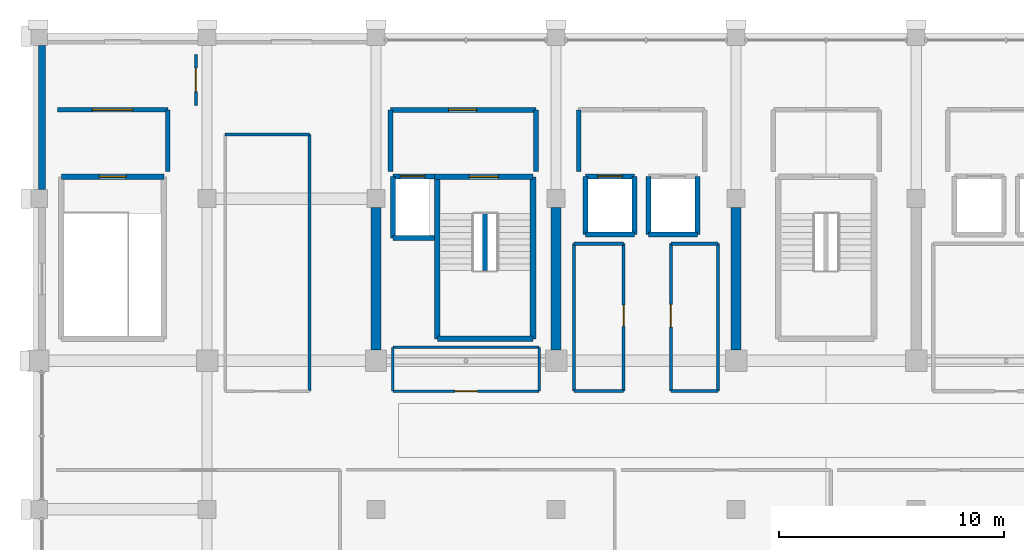
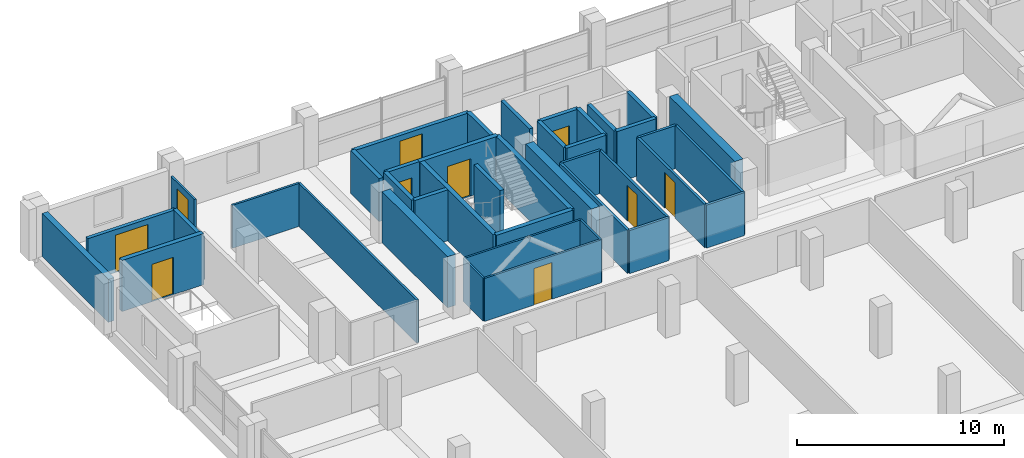
# One storey, part 17 of 21: 41 walls, 10 doors, 10 openings.
"""IFC4 building model written with IfcOpenShell, lengths in metres."""

from ifc_helpers import new_model, si_unit, direction, frame, frame_2d, origin, place, context, subcontext, project, spatial, rectangle, extrude, material, layer, layer_set, type_object, element, fill, save


model = new_model("IFC4")

# Units and contexts
model_context = context("Model", 3, precision=1e-05, world=origin(), true_north=direction((0.0, 1.0)))
body_context = subcontext(model_context, "Body", "Model", "MODEL_VIEW")
ifc_project = project(units=[si_unit("LENGTHUNIT", "METRE"), si_unit("AREAUNIT", "SQUARE_METRE"), si_unit("VOLUMEUNIT", "CUBIC_METRE"), si_unit("PLANEANGLEUNIT", "RADIAN"), si_unit("MASSUNIT", "GRAM", prefix="KILO")], contexts=[model_context])

# Site, building, storey
site_placement = place(None, origin())
site = spatial("IfcSite", under=ifc_project, at=site_placement, CompositionType="ELEMENT")
building_placement = place(site_placement, origin())
building = spatial("IfcBuilding", under=site, at=building_placement, Name="Akrevak Sports Hall", CompositionType="ELEMENT")
storey_placement = place(building_placement, frame((0.0, 0.0, 37.300048828125)))
storey = spatial("IfcBuildingStorey", under=building, at=storey_placement, Name="L08", CompositionType="ELEMENT", Elevation=37.300048828125)

# Wall
ifc_material_1 = material(Name="Limestone Ashlar", Category="stone")
ifc_layer_1 = layer(ifc_material_1, 0.070068359375, Name="Limestone Ashlar")
ifc_material_2 = material(Name="Mineral Wool Thermal Insulation", Category="insulation")
ifc_layer_2 = layer(ifc_material_2, 0.090087890625, Name="Mineral Wool Thermal Insulation")
ifc_material_3 = material(Name="Concrete C40/50", Category="concrete")
ifc_layer_3 = layer(ifc_material_3, 0.159912109375, Name="Concrete C40/50")
ifc_layer_set_1 = layer_set([ifc_layer_1, ifc_layer_2, ifc_layer_3], Name="Limestone Ashlar / Mineral Wool Thermal Insulation / Concrete C40/50")
wall_type_1 = type_object("IfcWallType", Name="ARC-WL-EXT-320", PredefinedType="SOLIDWALL", material=ifc_layer_set_1)
wall_1_placement = place(storey_placement, frame((45.159912109375, 69.199951171875, 0.0), z_axis=(0.0, 0.0, 1.0), x_axis=(0.0, -1.0, 0.0)))
element("IfcWall", 1, at=wall_1_placement, inside=storey, type_object=wall_type_1, Name="Tower Stone Facade Wall L08-W28", PredefinedType="SOLIDWALL", context=body_context, shape_type="SweptSolid", body=[
    extrude(rectangle(XDim=6.39990234375, YDim=0.320068359375, at=frame_2d((3.199951171875, 0.0))), origin(), (0.0, 0.0, 1.0), 2.530029296875),
])

# Wall, opening, door
ifc_material_4 = material(Name="Lightweight Office Partition", Category="gypsum")
ifc_layer_4 = layer(ifc_material_4, 0.110107421875, Name="Lightweight Office Partition")
ifc_layer_set_2 = layer_set([ifc_layer_4], Name="Lightweight Office Partition")
wall_type_2 = type_object("IfcWallType", Name="ARC-WL-PRT-110", PredefinedType="PARTITIONING", material=ifc_layer_set_2)
wall_2_placement = place(storey_placement, frame((60.75, 53.85009765625, 0.0), z_axis=(0.0, 0.0, 1.0), x_axis=(1.0, 0.0, 0.0)))
wall_2 = element("IfcWall", 2, at=wall_2_placement, inside=storey, type_object=wall_type_2, Name="Interior Partition Federation Technical Office L08-CW (S)", PredefinedType="PARTITIONING", context=body_context, shape_type="SweptSolid", body=[
    extrude(rectangle(XDim=6.5, YDim=0.110107421875, at=frame_2d((3.25, 0.0))), origin(), (0.0, 0.0, 1.0), 2.530029296875),
])
opening_1_placement = place(wall_2_placement, frame((2.75, 0.0, 0.0)))
opening_1 = element("IfcOpeningElement", 3, at=opening_1_placement, cuts=wall_2, Name="Opening ID-06", PredefinedType="OPENING", context=body_context, shape_type="SweptSolid", body=[
    extrude(rectangle(XDim=1.0, YDim=2.14990234375, at=frame_2d((0.5, 1.074951171875))), frame((0.0, 0.06689453125, 0.0), z_axis=(0.0, -1.0, 0.0), x_axis=(1.0, 0.0, 0.0)), (0.0, 0.0, 1.0), 0.134033203125),
])
ifc_material_5 = material(Name="Hardwood Oak Acoustic Leaf", Category="wood")
door_type_1 = type_object("IfcDoorType", Name="ARC-DR-OFF-100x215", OperationType="NOTDEFINED", PredefinedType="DOOR", material=ifc_material_5)
door_1_placement = place(opening_1_placement, origin())
door_1 = element("IfcDoor", 4, at=door_1_placement, inside=storey, type_object=door_type_1, Name="Door to Federation Technical Office L08-CW", OperationType="SINGLE_SWING_LEFT", OverallHeight=2.14990234375, OverallWidth=1.0, PredefinedType="DOOR", context=body_context, shape_type="SweptSolid", body=[
    extrude(rectangle(XDim=1.0, YDim=2.14990234375, at=frame_2d((0.5, 1.074951171875))), frame((0.0, 0.02490234375, 0.0), z_axis=(0.0, -1.0, 0.0), x_axis=(1.0, 0.0, 0.0)), (0.0, 0.0, 1.0), 0.050048828125),
])
fill(opening_1, door_1)

# Walls
wall_3_placement = place(storey_placement, frame((60.75, 55.800048828125, 0.0), z_axis=(0.0, 0.0, 1.0), x_axis=(1.0, 0.0, 0.0)))
element("IfcWall", 5, at=wall_3_placement, inside=storey, type_object=wall_type_2, Name="Interior Partition Federation Technical Office L08-CW (N)", PredefinedType="PARTITIONING", context=body_context, shape_type="SweptSolid", body=[
    extrude(rectangle(XDim=6.5, YDim=0.110107421875, at=frame_2d((3.25, 0.0))), origin(), (0.0, 0.0, 1.0), 2.530029296875),
])
for number, where, z_axis, x_axis, name in (
    (6, (60.75, 53.85009765625, 0.0), (0.0, 0.0, 1.0), (0.0, 1.0, 0.0), "Interior Partition Federation Technical Office L08-CW (W)"),
    (7, (67.25, 53.85009765625, 0.0), (0.0, 0.0, 1.0), (0.0, 1.0, 0.0), "Interior Partition Federation Technical Office L08-CW (E)"),
):
    element("IfcWall", number, at=place(storey_placement, frame(where, z_axis=z_axis, x_axis=x_axis)), inside=storey, type_object=wall_type_2, Name=name, PredefinedType="PARTITIONING", context=body_context, shape_type="SweptSolid", body=[
        extrude(rectangle(XDim=1.949951171875, YDim=0.110107421875, at=frame_2d((0.97509765625, 0.0))), origin(), (0.0, 0.0, 1.0), 2.530029296875),
    ])
ifc_material_6 = material(Name="Standard Metal Stud Partition", Category="gypsum")
ifc_layer_5 = layer(ifc_material_6, 0.1201171875, Name="Standard Metal Stud Partition")
ifc_layer_set_3 = layer_set([ifc_layer_5], Name="Standard Metal Stud Partition")
wall_type_3 = type_object("IfcWallType", Name="ARC-WL-PRT-120", PredefinedType="PARTITIONING", material=ifc_layer_set_3)
wall_4_placement = place(storey_placement, frame((53.300048828125, 65.25, 0.0), z_axis=(0.0, 0.0, 1.0), x_axis=(1.0, 0.0, 0.0)))
element("IfcWall", 8, at=wall_4_placement, inside=storey, type_object=wall_type_3, Name="Interior Partition Federation Research Office L08-W1 (N)", PredefinedType="PARTITIONING", context=body_context, shape_type="SweptSolid", body=[
    extrude(rectangle(XDim=3.75, YDim=0.1201171875, at=frame_2d((1.875, 0.0))), origin(), (0.0, 0.0, 1.0), 2.530029296875),
])
wall_5_placement = place(storey_placement, frame((57.050048828125, 53.85009765625, 0.0), z_axis=(0.0, 0.0, 1.0), x_axis=(0.0, 1.0, 0.0)))
element("IfcWall", 9, at=wall_5_placement, inside=storey, type_object=wall_type_3, Name="Interior Partition Federation Research Office L08-W1 (E)", PredefinedType="PARTITIONING", context=body_context, shape_type="SweptSolid", body=[
    extrude(rectangle(XDim=11.39990234375, YDim=0.1201171875, at=frame_2d((5.699951171875, 0.0))), origin(), (0.0, 0.0, 1.0), 2.530029296875),
])

# Wall, opening, door
wall_6_placement = place(storey_placement, frame((52.0, 66.550048828125, 0.0), z_axis=(0.0, 0.0, 1.0), x_axis=(0.0, 1.0, 0.0)))
wall_6 = element("IfcWall", 10, at=wall_6_placement, inside=storey, type_object=wall_type_3, Name="Interior Partition Federation Records Office L08-NW (E)", PredefinedType="PARTITIONING", context=body_context, shape_type="SweptSolid", body=[
    extrude(rectangle(XDim=2.25, YDim=0.1201171875, at=frame_2d((1.125, 0.0))), origin(), (0.0, 0.0, 1.0), 2.530029296875),
])
opening_2_placement = place(wall_6_placement, frame((0.60498046875, 0.0, 0.0)))
opening_2 = element("IfcOpeningElement", 11, at=opening_2_placement, cuts=wall_6, Name="Opening ID-05", PredefinedType="OPENING", context=body_context, shape_type="SweptSolid", body=[
    extrude(rectangle(XDim=1.050048828125, YDim=2.14990234375, at=frame_2d((0.52490234375, 1.074951171875))), frame((0.0, 0.072021484375, 0.0), z_axis=(0.0, -1.0, 0.0), x_axis=(1.0, 0.0, 0.0)), (0.0, 0.0, 1.0), 0.14404296875),
])
door_type_2 = type_object("IfcDoorType", Name="ARC-DR-OFF-105x215", OperationType="NOTDEFINED", PredefinedType="DOOR", material=ifc_material_5)
door_2_placement = place(opening_2_placement, frame((1.050048828125, 0.0, 0.0), z_axis=(0.0, 0.0, 1.0), x_axis=(-1.0, 0.0, 0.0)))
door_2 = element("IfcDoor", 12, at=door_2_placement, inside=storey, type_object=door_type_2, Name="Door to Federation Records Office L08-NW", OperationType="SINGLE_SWING_RIGHT", OverallHeight=2.14990234375, OverallWidth=1.050048828125, PredefinedType="DOOR", context=body_context, shape_type="SweptSolid", body=[
    extrude(rectangle(XDim=1.050048828125, YDim=2.14990234375, at=frame_2d((0.52490234375, 1.074951171875))), frame((0.0, 0.02490234375, 0.0), z_axis=(0.0, -1.0, 0.0), x_axis=(1.0, 0.0, 0.0)), (0.0, 0.0, 1.0), 0.050048828125),
])
fill(opening_2, door_2)

# Walls
ifc_material_7 = material(Name="Moisture-Resistant Wet-Area Partition", Category="gypsum")
ifc_layer_6 = layer(ifc_material_7, 0.139892578125, Name="Moisture-Resistant Wet-Area Partition")
ifc_layer_set_4 = layer_set([ifc_layer_6], Name="Moisture-Resistant Wet-Area Partition")
wall_type_4 = type_object("IfcWallType", Name="ARC-WL-PRT-140", PredefinedType="PARTITIONING", material=ifc_layer_set_4)
for number, where, z_axis, x_axis, name in (
    (13, (68.800048828125, 53.85009765625, 0.0), (0.0, 0.0, 1.0), (1.0, 0.0, 0.0), "Interior Partition Staff WC L08 (S)"),
    (14, (68.800048828125, 60.39990234375, 0.0), (0.0, 0.0, 1.0), (1.0, 0.0, 0.0), "Interior Partition Staff WC L08 (N)"),
):
    element("IfcWall", number, at=place(storey_placement, frame(where, z_axis=z_axis, x_axis=x_axis)), inside=storey, type_object=wall_type_4, Name=name, PredefinedType="PARTITIONING", context=body_context, shape_type="SweptSolid", body=[
        extrude(rectangle(XDim=2.199951171875, YDim=0.139892578125, at=frame_2d((1.10009765625, 0.0))), origin(), (0.0, 0.0, 1.0), 2.530029296875),
    ])
wall_7_placement = place(storey_placement, frame((68.800048828125, 53.85009765625, 0.0), z_axis=(0.0, 0.0, 1.0), x_axis=(0.0, 1.0, 0.0)))
element("IfcWall", 15, at=wall_7_placement, inside=storey, type_object=wall_type_4, Name="Interior Partition Staff WC L08 (W)", PredefinedType="PARTITIONING", context=body_context, shape_type="SweptSolid", body=[
    extrude(rectangle(XDim=6.5498046875, YDim=0.139892578125, at=frame_2d((3.27490234375, 0.0))), origin(), (0.0, 0.0, 1.0), 2.530029296875),
])

# Wall, opening, door
wall_8_placement = place(storey_placement, frame((71.0, 53.85009765625, 0.0), z_axis=(0.0, 0.0, 1.0), x_axis=(0.0, 1.0, 0.0)))
wall_8 = element("IfcWall", 16, at=wall_8_placement, inside=storey, type_object=wall_type_4, Name="Interior Partition Staff WC L08 (E)", PredefinedType="PARTITIONING", context=body_context, shape_type="SweptSolid", body=[
    extrude(rectangle(XDim=6.5498046875, YDim=0.139892578125, at=frame_2d((3.27490234375, 0.0))), origin(), (0.0, 0.0, 1.0), 2.530029296875),
])
opening_3_placement = place(wall_8_placement, frame((2.875, 0.0, 0.0)))
opening_3 = element("IfcOpeningElement", 17, at=opening_3_placement, cuts=wall_8, Name="Opening ID-08", PredefinedType="OPENING", context=body_context, shape_type="SweptSolid", body=[
    extrude(rectangle(XDim=0.949951171875, YDim=2.10009765625, at=frame_2d((0.47509765625, 1.050048828125))), frame((0.0, 0.08203125, 0.0), z_axis=(0.0, -1.0, 0.0), x_axis=(1.0, 0.0, 0.0)), (0.0, 0.0, 1.0), 0.163818359375),
])
ifc_material_8 = material(Name="High-Pressure Laminate & Aluminium", Category="aluminium")
door_type_3 = type_object("IfcDoorType", Name="ARC-DR-WC-095x210", OperationType="NOTDEFINED", PredefinedType="DOOR", material=ifc_material_8)
door_3_placement = place(opening_3_placement, frame((0.949951171875, 0.0, 0.0), z_axis=(0.0, 0.0, 1.0), x_axis=(-1.0, 0.0, 0.0)))
door_3 = element("IfcDoor", 18, at=door_3_placement, inside=storey, type_object=door_type_3, Name="Door to Staff WC L08", OperationType="SINGLE_SWING_RIGHT", OverallHeight=2.10009765625, OverallWidth=0.949951171875, PredefinedType="DOOR", context=body_context, shape_type="SweptSolid", body=[
    extrude(rectangle(XDim=0.949951171875, YDim=2.10009765625, at=frame_2d((0.47509765625, 1.050048828125))), frame((0.0, 0.02490234375, 0.0), z_axis=(0.0, -1.0, 0.0), x_axis=(1.0, 0.0, 0.0)), (0.0, 0.0, 1.0), 0.050048828125),
])
fill(opening_3, door_3)

# Walls
for number, where, z_axis, x_axis, name in (
    (19, (73.10009765625, 53.85009765625, 0.0), (0.0, 0.0, 1.0), (1.0, 0.0, 0.0), "Interior Partition Accessible WC & Shower L08 (S)"),
    (20, (73.10009765625, 60.39990234375, 0.0), (0.0, 0.0, 1.0), (1.0, 0.0, 0.0), "Interior Partition Accessible WC & Shower L08 (N)"),
):
    element("IfcWall", number, at=place(storey_placement, frame(where, z_axis=z_axis, x_axis=x_axis)), inside=storey, type_object=wall_type_4, Name=name, PredefinedType="PARTITIONING", context=body_context, shape_type="SweptSolid", body=[
        extrude(rectangle(XDim=2.099853515625, YDim=0.139892578125, at=frame_2d((1.0498046875, 0.0))), origin(), (0.0, 0.0, 1.0), 2.530029296875),
    ])

# Wall, opening, door
wall_9_placement = place(storey_placement, frame((73.10009765625, 53.85009765625, 0.0), z_axis=(0.0, 0.0, 1.0), x_axis=(0.0, 1.0, 0.0)))
wall_9 = element("IfcWall", 21, at=wall_9_placement, inside=storey, type_object=wall_type_4, Name="Interior Partition Accessible WC & Shower L08 (W)", PredefinedType="PARTITIONING", context=body_context, shape_type="SweptSolid", body=[
    extrude(rectangle(XDim=6.5498046875, YDim=0.139892578125, at=frame_2d((3.27490234375, 0.0))), origin(), (0.0, 0.0, 1.0), 2.530029296875),
])
opening_4_placement = place(wall_9_placement, frame((2.840087890625, 0.0, 0.0)))
opening_4 = element("IfcOpeningElement", 22, at=opening_4_placement, cuts=wall_9, Name="Opening ID-09", PredefinedType="OPENING", context=body_context, shape_type="SweptSolid", body=[
    extrude(rectangle(XDim=1.02001953125, YDim=2.10009765625, at=frame_2d((0.510009765625, 1.050048828125))), frame((0.0, 0.08203125, 0.0), z_axis=(0.0, -1.0, 0.0), x_axis=(1.0, 0.0, 0.0)), (0.0, 0.0, 1.0), 0.163818359375),
])
door_type_4 = type_object("IfcDoorType", Name="ARC-DR-AWC-102x210", OperationType="NOTDEFINED", PredefinedType="DOOR", material=ifc_material_8)
door_4_placement = place(opening_4_placement, origin())
door_4 = element("IfcDoor", 23, at=door_4_placement, inside=storey, type_object=door_type_4, Name="Door to Accessible WC & Shower L08", OperationType="SINGLE_SWING_LEFT", OverallHeight=2.10009765625, OverallWidth=1.02001953125, PredefinedType="DOOR", context=body_context, shape_type="SweptSolid", body=[
    extrude(rectangle(XDim=1.02001953125, YDim=2.10009765625, at=frame_2d((0.510009765625, 1.050048828125))), frame((0.0, 0.02490234375, 0.0), z_axis=(0.0, -1.0, 0.0), x_axis=(1.0, 0.0, 0.0)), (0.0, 0.0, 1.0), 0.050048828125),
])
fill(opening_4, door_4)

# Walls
wall_10_placement = place(storey_placement, frame((75.199951171875, 53.85009765625, 0.0), z_axis=(0.0, 0.0, 1.0), x_axis=(0.0, 1.0, 0.0)))
element("IfcWall", 24, at=wall_10_placement, inside=storey, type_object=wall_type_4, Name="Interior Partition Accessible WC & Shower L08 (E)", PredefinedType="PARTITIONING", context=body_context, shape_type="SweptSolid", body=[
    extrude(rectangle(XDim=6.5498046875, YDim=0.139892578125, at=frame_2d((3.27490234375, 0.0))), origin(), (0.0, 0.0, 1.0), 2.530029296875),
])
ifc_material_9 = material(Name="Autoclaved Aerated Masonry Block", Category="masonry")
ifc_layer_7 = layer(ifc_material_9, 0.199951171875, Name="Autoclaved Aerated Masonry Block")
ifc_layer_set_5 = layer_set([ifc_layer_7], Name="Autoclaved Aerated Masonry Block")
wall_type_5 = type_object("IfcWallType", Name="ARC-WL-PRT-200", PredefinedType="PARTITIONING", material=ifc_layer_set_5)
wall_11_placement = place(storey_placement, frame((69.0, 63.60009765625, 0.0), z_axis=(0.0, 0.0, 1.0), x_axis=(0.0, 1.0, 0.0)))
element("IfcWall", 25, at=wall_11_placement, inside=storey, type_object=wall_type_5, Name="Interior Partition West Passenger Lift Lobby L08 (W)", PredefinedType="PARTITIONING", context=body_context, shape_type="SweptSolid", body=[
    extrude(rectangle(XDim=2.75, YDim=0.199951171875, at=frame_2d((1.375, 0.0))), origin(), (0.0, 0.0, 1.0), 2.530029296875),
])

# Wall, opening, door
wall_12_placement = place(storey_placement, frame((45.85009765625, 66.35009765625, 0.0), z_axis=(0.0, 0.0, 1.0), x_axis=(1.0, 0.0, 0.0)))
wall_12 = element("IfcWall", 26, at=wall_12_placement, inside=storey, type_object=wall_type_5, Name="Interior Partition West Wing Stair ST4 Vestibule L08 (N)", PredefinedType="PARTITIONING", context=body_context, shape_type="SweptSolid", body=[
    extrude(rectangle(XDim=4.89990234375, YDim=0.199951171875, at=frame_2d((2.449951171875, 0.0))), origin(), (0.0, 0.0, 1.0), 2.530029296875),
])
opening_5_placement = place(wall_12_placement, frame((1.550048828125, 0.0, 0.0)))
opening_5 = element("IfcOpeningElement", 27, at=opening_5_placement, cuts=wall_12, Name="Opening FD-02", PredefinedType="OPENING", context=body_context, shape_type="SweptSolid", body=[
    extrude(rectangle(XDim=1.800048828125, YDim=2.199951171875, at=frame_2d((0.89990234375, 1.10009765625))), frame((0.0, 0.11181640625, 0.0), z_axis=(0.0, -1.0, 0.0), x_axis=(1.0, 0.0, 0.0)), (0.0, 0.0, 1.0), 0.223876953125),
])
ifc_material_10 = material(Name="Fire-Rated Galvanized Door Steel", Category="steel")
door_type_5 = type_object("IfcDoorType", Name="ARC-DR-FIRE-180x220", OperationType="DOUBLE_DOOR_SINGLE_SWING", PredefinedType="DOOR", material=ifc_material_10)
door_5_placement = place(opening_5_placement, frame((1.800048828125, 0.0, 0.0), z_axis=(0.0, 0.0, 1.0), x_axis=(-1.0, 0.0, 0.0)))
door_5 = element("IfcDoor", 28, at=door_5_placement, inside=storey, type_object=door_type_5, Name="Door to West Wing Stair ST4 Vestibule L08", OperationType="DOUBLE_DOOR_SINGLE_SWING", OverallHeight=2.199951171875, OverallWidth=1.800048828125, PredefinedType="DOOR", context=body_context, shape_type="SweptSolid", body=[
    extrude(rectangle(XDim=1.800048828125, YDim=2.199951171875, at=frame_2d((0.89990234375, 1.10009765625))), frame((0.0, 0.02490234375, 0.0), z_axis=(0.0, -1.0, 0.0), x_axis=(1.0, 0.0, 0.0)), (0.0, 0.0, 1.0), 0.050048828125),
])
fill(opening_5, door_5)

# Walls
wall_13_placement = place(storey_placement, frame((50.75, 63.60009765625, 0.0), z_axis=(0.0, 0.0, 1.0), x_axis=(0.0, 1.0, 0.0)))
element("IfcWall", 29, at=wall_13_placement, inside=storey, type_object=wall_type_5, Name="Interior Partition West Wing Stair ST4 Vestibule L08 (E)", PredefinedType="PARTITIONING", context=body_context, shape_type="SweptSolid", body=[
    extrude(rectangle(XDim=2.75, YDim=0.199951171875, at=frame_2d((1.375, 0.0))), origin(), (0.0, 0.0, 1.0), 2.530029296875),
])
ifc_layer_8 = layer(ifc_material_3, 0.219970703125, Name="Concrete C40/50")
ifc_layer_set_6 = layer_set([ifc_layer_8], Name="Concrete C40/50")
wall_type_6 = type_object("IfcWallType", Name="ARC-WL-PRT-220", PredefinedType="PARTITIONING", material=ifc_layer_set_6)
wall_14_placement = place(storey_placement, frame((64.85009765625, 59.215087890625, 0.0), z_axis=(0.0, 0.0, 1.0), x_axis=(0.0, 1.0, 0.0)))
element("IfcWall", 30, at=wall_14_placement, inside=storey, type_object=wall_type_6, Name="Stair ST1 Central Spine Wall (L08)", PredefinedType="PARTITIONING", context=body_context, shape_type="SweptSolid", body=[
    extrude(rectangle(XDim=2.52001953125, YDim=0.219970703125, at=frame_2d((1.260009765625, 0.0))), origin(), (0.0, 0.0, 1.0), 3.010009765625),
])

# Wall, opening, door
wall_15_placement = place(storey_placement, frame((60.64990234375, 66.35009765625, 0.0), z_axis=(0.0, 0.0, 1.0), x_axis=(1.0, 0.0, 0.0)))
wall_15 = element("IfcWall", 31, at=wall_15_placement, inside=storey, type_object=wall_type_6, Name="Interior Partition Firefighting Lobby West L08 (N)", PredefinedType="PARTITIONING", context=body_context, shape_type="SweptSolid", body=[
    extrude(rectangle(XDim=6.4501953125, YDim=0.219970703125, at=frame_2d((3.22509765625, 0.0))), origin(), (0.0, 0.0, 1.0), 2.530029296875),
])
opening_6_placement = place(wall_15_placement, frame((2.574951171875, 0.0, 0.0)))
opening_6 = element("IfcOpeningElement", 32, at=opening_6_placement, cuts=wall_15, Name="Opening FD-01", PredefinedType="OPENING", context=body_context, shape_type="SweptSolid", body=[
    extrude(rectangle(XDim=1.25, YDim=2.199951171875, at=frame_2d((0.625, 1.10009765625))), frame((0.0, 0.1220703125, 0.0), z_axis=(0.0, -1.0, 0.0), x_axis=(1.0, 0.0, 0.0)), (0.0, 0.0, 1.0), 0.243896484375),
])
door_type_6 = type_object("IfcDoorType", Name="ARC-DR-FFL-125x220", OperationType="NOTDEFINED", PredefinedType="DOOR", material=ifc_material_10)
door_6_placement = place(opening_6_placement, frame((1.25, 0.0, 0.0), z_axis=(0.0, 0.0, 1.0), x_axis=(-1.0, 0.0, 0.0)))
door_6 = element("IfcDoor", 33, at=door_6_placement, inside=storey, type_object=door_type_6, Name="Door to Firefighting Lobby West L08", OperationType="SINGLE_SWING_RIGHT", OverallHeight=2.199951171875, OverallWidth=1.25, PredefinedType="DOOR", context=body_context, shape_type="SweptSolid", body=[
    extrude(rectangle(XDim=1.25, YDim=2.199951171875, at=frame_2d((0.625, 1.10009765625))), frame((0.0, 0.02490234375, 0.0), z_axis=(0.0, -1.0, 0.0), x_axis=(1.0, 0.0, 0.0)), (0.0, 0.0, 1.0), 0.050048828125),
])
fill(opening_6, door_6)

# Walls
for number, where, z_axis, x_axis, name in (
    (34, (60.64990234375, 63.60009765625, 0.0), (0.0, 0.0, 1.0), (0.0, 1.0, 0.0), "Interior Partition Firefighting Lobby West L08 (W)"),
    (35, (67.10009765625, 63.60009765625, 0.0), (0.0, 0.0, 1.0), (0.0, 1.0, 0.0), "Interior Partition Firefighting Lobby West L08 (E)"),
):
    element("IfcWall", number, at=place(storey_placement, frame(where, z_axis=z_axis, x_axis=x_axis)), inside=storey, type_object=wall_type_6, Name=name, PredefinedType="PARTITIONING", context=body_context, shape_type="SweptSolid", body=[
        extrude(rectangle(XDim=2.75, YDim=0.219970703125, at=frame_2d((1.375, 0.0))), origin(), (0.0, 0.0, 1.0), 2.530029296875),
    ])
ifc_material_11 = material(Name="Concrete C50/60", Category="concrete")
ifc_layer_9 = layer(ifc_material_11, 0.219970703125, Name="Concrete C50/60")
ifc_layer_set_7 = layer_set([ifc_layer_9], Name="Concrete C50/60")
wall_type_7 = type_object("IfcWallType", Name="ARC-WL-SHAFT-220", PredefinedType="SHEAR", material=ifc_layer_set_7)
wall_16_placement = place(storey_placement, frame((60.760009765625, 60.659912109375, 0.0), z_axis=(0.0, 0.0, 1.0), x_axis=(1.0, 0.0, 0.0)))
element("IfcWall", 36, at=wall_16_placement, inside=storey, type_object=wall_type_7, Name="Lift Shaft LF-FF1 Wall S (L08)", PredefinedType="SHEAR", context=body_context, shape_type="SweptSolid", body=[
    extrude(rectangle(XDim=1.840087890625, YDim=0.219970703125, at=frame_2d((0.919921875, 0.0))), origin(), (0.0, 0.0, 1.0), 3.010009765625),
])

# Wall, opening, door
wall_17_placement = place(storey_placement, frame((62.60009765625, 63.389892578125, 0.0), z_axis=(0.0, 0.0, 1.0), x_axis=(-1.0, 0.0, 0.0)))
wall_17 = element("IfcWall", 37, at=wall_17_placement, inside=storey, type_object=wall_type_7, Name="Lift Shaft LF-FF1 Wall N (L08)", PredefinedType="SHEAR", context=body_context, shape_type="SweptSolid", body=[
    extrude(rectangle(XDim=1.840087890625, YDim=0.219970703125, at=frame_2d((0.919921875, 0.0))), origin(), (0.0, 0.0, 1.0), 3.010009765625),
])
opening_7_placement = place(wall_17_placement, frame((0.425048828125, 0.0, 0.0)))
opening_7 = element("IfcOpeningElement", 38, at=opening_7_placement, cuts=wall_17, Name="Opening LD-01", PredefinedType="OPENING", context=body_context, shape_type="SweptSolid", body=[
    extrude(rectangle(XDim=1.10009765625, YDim=2.199951171875, at=frame_2d((0.550048828125, 1.10009765625))), frame((0.0, 0.1220703125, 0.0), z_axis=(0.0, -1.0, 0.0), x_axis=(1.0, 0.0, 0.0)), (0.0, 0.0, 1.0), 0.243896484375),
])
ifc_material_12 = material(Name="Brushed Stainless Steel 304", Category="steel")
door_type_7 = type_object("IfcDoorType", Name="ARC-DR-LD-110x220", OperationType="SLIDING_TO_LEFT", PredefinedType="DOOR", material=ifc_material_12)
door_7_placement = place(opening_7_placement, origin())
door_7 = element("IfcDoor", 39, at=door_7_placement, inside=storey, type_object=door_type_7, Name="Lift LF-FF1 Sliding Landing Door (L08)", OperationType="SLIDING_TO_LEFT", OverallHeight=2.199951171875, OverallWidth=1.10009765625, PredefinedType="DOOR", context=body_context, shape_type="SweptSolid", body=[
    extrude(rectangle(XDim=1.10009765625, YDim=2.199951171875, at=frame_2d((0.550048828125, 1.10009765625))), frame((0.0, 0.02490234375, 0.0), z_axis=(0.0, -1.0, 0.0), x_axis=(1.0, 0.0, 0.0)), (0.0, 0.0, 1.0), 0.050048828125),
])
fill(opening_7, door_7)

# Walls
wall_18_placement = place(storey_placement, frame((60.760009765625, 63.389892578125, 0.0), z_axis=(0.0, 0.0, 1.0), x_axis=(0.0, -1.0, 0.0)))
element("IfcWall", 40, at=wall_18_placement, inside=storey, type_object=wall_type_7, Name="Lift Shaft LF-FF1 Wall W (L08)", PredefinedType="SHEAR", context=body_context, shape_type="SweptSolid", body=[
    extrude(rectangle(XDim=2.72998046875, YDim=0.219970703125, at=frame_2d((1.364990234375, 0.0))), origin(), (0.0, 0.0, 1.0), 3.010009765625),
])
wall_19_placement = place(storey_placement, frame((69.31005859375, 60.81005859375, 0.0), z_axis=(0.0, 0.0, 1.0), x_axis=(1.0, 0.0, 0.0)))
element("IfcWall", 41, at=wall_19_placement, inside=storey, type_object=wall_type_7, Name="Lift Shaft LF-P1 Wall S (L08)", PredefinedType="SHEAR", context=body_context, shape_type="SweptSolid", body=[
    extrude(rectangle(XDim=2.179931640625, YDim=0.219970703125, at=frame_2d((1.08984375, 0.0))), origin(), (0.0, 0.0, 1.0), 3.010009765625),
])

# Wall, opening, door
wall_20_placement = place(storey_placement, frame((71.489990234375, 63.389892578125, 0.0), z_axis=(0.0, 0.0, 1.0), x_axis=(-1.0, 0.0, 0.0)))
wall_20 = element("IfcWall", 42, at=wall_20_placement, inside=storey, type_object=wall_type_7, Name="Lift Shaft LF-P1 Wall N (L08)", PredefinedType="SHEAR", context=body_context, shape_type="SweptSolid", body=[
    extrude(rectangle(XDim=2.179931640625, YDim=0.219970703125, at=frame_2d((1.08984375, 0.0))), origin(), (0.0, 0.0, 1.0), 3.010009765625),
])
opening_8_placement = place(wall_20_placement, frame((0.5400390625, 0.0, 0.0)))
opening_8 = element("IfcOpeningElement", 43, at=opening_8_placement, cuts=wall_20, Name="Opening LD-01", PredefinedType="OPENING", context=body_context, shape_type="SweptSolid", body=[
    extrude(rectangle(XDim=1.10009765625, YDim=2.199951171875, at=frame_2d((0.550048828125, 1.10009765625))), frame((0.0, 0.1220703125, 0.0), z_axis=(0.0, -1.0, 0.0), x_axis=(1.0, 0.0, 0.0)), (0.0, 0.0, 1.0), 0.243896484375),
])
door_8_placement = place(opening_8_placement, origin())
door_8 = element("IfcDoor", 44, at=door_8_placement, inside=storey, type_object=door_type_7, Name="Lift LF-P1 Sliding Landing Door (L08)", OperationType="SLIDING_TO_LEFT", OverallHeight=2.199951171875, OverallWidth=1.10009765625, PredefinedType="DOOR", context=body_context, shape_type="SweptSolid", body=[
    extrude(rectangle(XDim=1.10009765625, YDim=2.199951171875, at=frame_2d((0.550048828125, 1.10009765625))), frame((0.0, 0.02490234375, 0.0), z_axis=(0.0, -1.0, 0.0), x_axis=(1.0, 0.0, 0.0)), (0.0, 0.0, 1.0), 0.050048828125),
])
fill(opening_8, door_8)

# Walls
for number, where, z_axis, x_axis, name in (
    (45, (69.31005859375, 63.389892578125, 0.0), (0.0, 0.0, 1.0), (0.0, -1.0, 0.0), "Lift Shaft LF-P1 Wall W (L08)"),
    (46, (71.489990234375, 60.81005859375, 0.0), (0.0, 0.0, 1.0), (0.0, 1.0, 0.0), "Lift Shaft LF-P1 Wall E (L08)"),
):
    element("IfcWall", number, at=place(storey_placement, frame(where, z_axis=z_axis, x_axis=x_axis)), inside=storey, type_object=wall_type_7, Name=name, PredefinedType="SHEAR", context=body_context, shape_type="SweptSolid", body=[
        extrude(rectangle(XDim=2.579833984375, YDim=0.219970703125, at=frame_2d((1.2900390625, 0.0))), origin(), (0.0, 0.0, 1.0), 3.010009765625),
    ])
wall_21_placement = place(storey_placement, frame((72.110107421875, 60.81005859375, 0.0), z_axis=(0.0, 0.0, 1.0), x_axis=(1.0, 0.0, 0.0)))
element("IfcWall", 47, at=wall_21_placement, inside=storey, type_object=wall_type_7, Name="Lift Shaft LF-P2 Wall S (L08)", PredefinedType="SHEAR", context=body_context, shape_type="SweptSolid", body=[
    extrude(rectangle(XDim=2.179931640625, YDim=0.219970703125, at=frame_2d((1.08984375, 0.0))), origin(), (0.0, 0.0, 1.0), 3.010009765625),
])
for number, where, z_axis, x_axis, name in (
    (48, (72.110107421875, 63.389892578125, 0.0), (0.0, 0.0, 1.0), (0.0, -1.0, 0.0), "Lift Shaft LF-P2 Wall W (L08)"),
    (49, (74.2900390625, 60.81005859375, 0.0), (0.0, 0.0, 1.0), (0.0, 1.0, 0.0), "Lift Shaft LF-P2 Wall E (L08)"),
):
    element("IfcWall", number, at=place(storey_placement, frame(where, z_axis=z_axis, x_axis=x_axis)), inside=storey, type_object=wall_type_7, Name=name, PredefinedType="SHEAR", context=body_context, shape_type="SweptSolid", body=[
        extrude(rectangle(XDim=2.579833984375, YDim=0.219970703125, at=frame_2d((1.2900390625, 0.0))), origin(), (0.0, 0.0, 1.0), 3.010009765625),
    ])
ifc_layer_10 = layer(ifc_material_11, 0.449951171875, Name="Concrete C50/60")
ifc_layer_set_8 = layer_set([ifc_layer_10], Name="Concrete C50/60")
wall_type_8 = type_object("IfcWallType", Name="STR-WL-CORE-450", PredefinedType="SHEAR", material=ifc_layer_set_8)
for number, where, z_axis, x_axis, name in (
    (50, (60.0, 55.675048828125, 0.0), (0.0, 0.0, 1.0), (0.0, 1.0, 0.0), "Reinforced Concrete Shear Wall SW-W2 (L08)"),
    (51, (68.0, 55.675048828125, 0.0), (0.0, 0.0, 1.0), (0.0, 1.0, 0.0), "Reinforced Concrete Shear Wall SW-C1 (L08)"),
    (52, (76.0, 55.675048828125, 0.0), (0.0, 0.0, 1.0), (0.0, 1.0, 0.0), "Reinforced Concrete Shear Wall SW-W1 (L08)"),
):
    element("IfcWall", number, at=place(storey_placement, frame(where, z_axis=z_axis, x_axis=x_axis)), inside=storey, type_object=wall_type_8, Name=name, PredefinedType="SHEAR", context=body_context, shape_type="SweptSolid", body=[
        extrude(rectangle(XDim=6.324951171875, YDim=0.449951171875, at=frame_2d((3.16259765625, 0.0))), origin(), (0.0, 0.0, 1.0), 3.010009765625),
    ])
ifc_layer_11 = layer(ifc_material_11, 0.25, Name="Concrete C50/60")
ifc_layer_set_9 = layer_set([ifc_layer_11], Name="Concrete C50/60")
wall_type_9 = type_object("IfcWallType", Name="STR-WL-STAIR-250", PredefinedType="SHEAR", material=ifc_layer_set_9)
wall_22_placement = place(storey_placement, frame((62.72509765625, 56.175048828125, 0.0), z_axis=(0.0, 0.0, 1.0), x_axis=(1.0, 0.0, 0.0)))
element("IfcWall", 53, at=wall_22_placement, inside=storey, type_object=wall_type_9, Name="Stair Core ST1 Shear Wall S (L08)", PredefinedType="SHEAR", context=body_context, shape_type="SweptSolid", body=[
    extrude(rectangle(XDim=4.25, YDim=0.25, at=frame_2d((2.125, 0.0))), origin(), (0.0, 0.0, 1.0), 3.010009765625),
])

# Wall, opening, door
wall_23_placement = place(storey_placement, frame((66.97509765625, 63.375, 0.0), z_axis=(0.0, 0.0, 1.0), x_axis=(-1.0, 0.0, 0.0)))
wall_23 = element("IfcWall", 54, at=wall_23_placement, inside=storey, type_object=wall_type_9, Name="Stair Core ST1 Shear Wall N (L08)", PredefinedType="SHEAR", context=body_context, shape_type="SweptSolid", body=[
    extrude(rectangle(XDim=4.375, YDim=0.25, at=frame_2d((2.1875, 0.0))), origin(), (0.0, 0.0, 1.0), 3.010009765625),
])
opening_9_placement = place(wall_23_placement, frame((1.53759765625, 0.0, 0.0)))
opening_9 = element("IfcOpeningElement", 55, at=opening_9_placement, cuts=wall_23, Name="Opening SD-01", PredefinedType="OPENING", context=body_context, shape_type="SweptSolid", body=[
    extrude(rectangle(XDim=1.300048828125, YDim=2.199951171875, at=frame_2d((0.64990234375, 1.10009765625))), frame((0.0, 0.136962890625, 0.0), z_axis=(0.0, -1.0, 0.0), x_axis=(1.0, 0.0, 0.0)), (0.0, 0.0, 1.0), 0.27392578125),
])
door_type_8 = type_object("IfcDoorType", Name="ARC-DR-STAIR-130x220", OperationType="NOTDEFINED", PredefinedType="DOOR", material=ifc_material_10)
door_9_placement = place(opening_9_placement, origin())
door_9 = element("IfcDoor", 56, at=door_9_placement, inside=storey, type_object=door_type_8, Name="Exit Stair ST1 Door (L08)", OperationType="SINGLE_SWING_RIGHT", OverallHeight=2.199951171875, OverallWidth=1.300048828125, PredefinedType="DOOR", context=body_context, shape_type="SweptSolid", body=[
    extrude(rectangle(XDim=1.300048828125, YDim=2.199951171875, at=frame_2d((0.64990234375, 1.10009765625))), frame((0.0, 0.02490234375, 0.0), z_axis=(0.0, -1.0, 0.0), x_axis=(1.0, 0.0, 0.0)), (0.0, 0.0, 1.0), 0.050048828125),
])
fill(opening_9, door_9)

# Walls
wall_24_placement = place(storey_placement, frame((62.72509765625, 63.25, 0.0), z_axis=(0.0, 0.0, 1.0), x_axis=(0.0, -1.0, 0.0)))
element("IfcWall", 57, at=wall_24_placement, inside=storey, type_object=wall_type_9, Name="Stair Core ST1 Shear Wall W (L08)", PredefinedType="SHEAR", context=body_context, shape_type="SweptSolid", body=[
    extrude(rectangle(XDim=7.074951171875, YDim=0.25, at=frame_2d((3.53759765625, 0.0))), origin(), (0.0, 0.0, 1.0), 3.010009765625),
])
wall_25_placement = place(storey_placement, frame((66.97509765625, 56.175048828125, 0.0), z_axis=(0.0, 0.0, 1.0), x_axis=(0.0, 1.0, 0.0)))
element("IfcWall", 58, at=wall_25_placement, inside=storey, type_object=wall_type_9, Name="Stair Core ST1 Shear Wall E (L08)", PredefinedType="SHEAR", context=body_context, shape_type="SweptSolid", body=[
    extrude(rectangle(XDim=7.199951171875, YDim=0.25, at=frame_2d((3.60009765625, 0.0))), origin(), (0.0, 0.0, 1.0), 3.010009765625),
])

# Wall, opening, door
wall_26_placement = place(storey_placement, frame((50.574951171875, 63.375, 0.0), z_axis=(0.0, 0.0, 1.0), x_axis=(-1.0, 0.0, 0.0)))
wall_26 = element("IfcWall", 59, at=wall_26_placement, inside=storey, type_object=wall_type_9, Name="Stair Core ST4 Shear Wall N (L08)", PredefinedType="SHEAR", context=body_context, shape_type="SweptSolid", body=[
    extrude(rectangle(XDim=4.550048828125, YDim=0.25, at=frame_2d((2.27490234375, 0.0))), origin(), (0.0, 0.0, 1.0), 3.010009765625),
])
opening_10_placement = place(wall_26_placement, frame((1.675048828125, 0.0, 0.0)))
opening_10 = element("IfcOpeningElement", 60, at=opening_10_placement, cuts=wall_26, Name="Opening SD-02", PredefinedType="OPENING", context=body_context, shape_type="SweptSolid", body=[
    extrude(rectangle(XDim=1.199951171875, YDim=2.199951171875, at=frame_2d((0.60009765625, 1.10009765625))), frame((0.0, 0.136962890625, 0.0), z_axis=(0.0, -1.0, 0.0), x_axis=(1.0, 0.0, 0.0)), (0.0, 0.0, 1.0), 0.27392578125),
])
door_type_9 = type_object("IfcDoorType", Name="ARC-DR-STAIR-120x220", OperationType="NOTDEFINED", PredefinedType="DOOR", material=ifc_material_10)
door_10_placement = place(opening_10_placement, origin())
door_10 = element("IfcDoor", 61, at=door_10_placement, inside=storey, type_object=door_type_9, Name="Exit Stair ST4 Door (L08)", OperationType="SINGLE_SWING_LEFT", OverallHeight=2.199951171875, OverallWidth=1.199951171875, PredefinedType="DOOR", context=body_context, shape_type="SweptSolid", body=[
    extrude(rectangle(XDim=1.199951171875, YDim=2.199951171875, at=frame_2d((0.60009765625, 1.10009765625))), frame((0.0, 0.02490234375, 0.0), z_axis=(0.0, -1.0, 0.0), x_axis=(1.0, 0.0, 0.0)), (0.0, 0.0, 1.0), 0.050048828125),
])
fill(opening_10, door_10)

save(model, "model.ifc")
